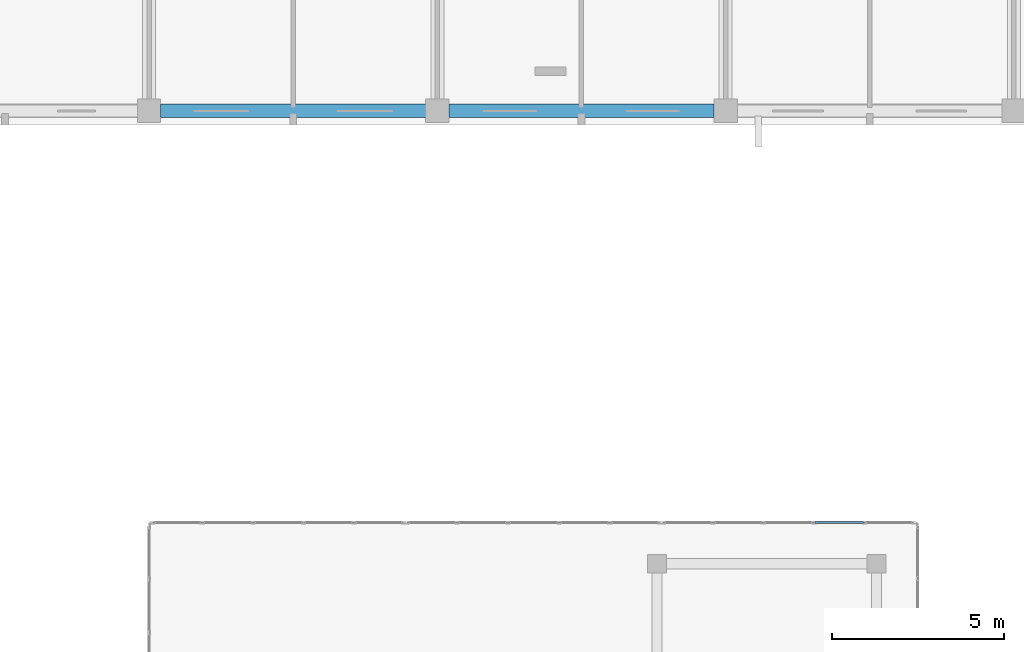
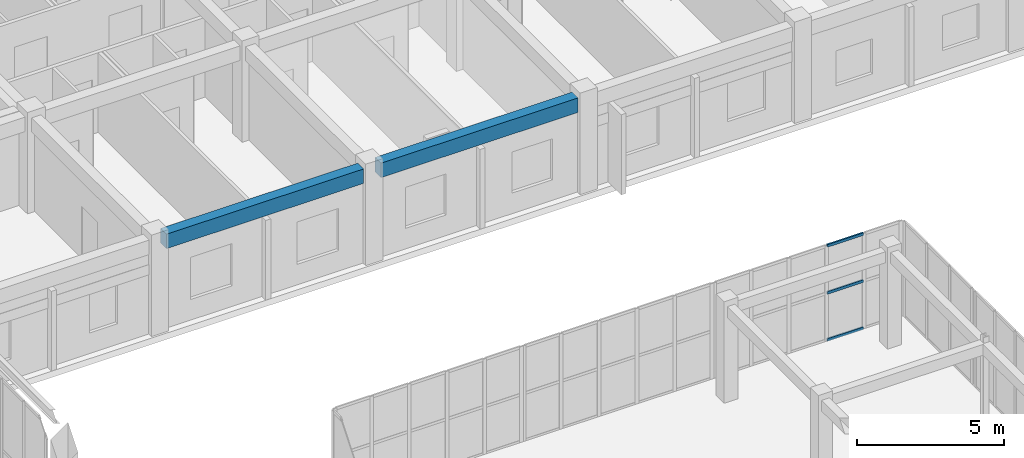
# One storey, part 78 of 140: 3 members, 2 beams, 1 element without a shape of its own.
"""IFC4 building model written with IfcOpenShell, lengths in metres."""

from ifc_helpers import new_model, si_unit, direction, frame, origin, origin_2d, place, context, subcontext, project, spatial, rectangle, hollow_rectangle, extrude, material, layer, layer_set, material_profile, profile_set, type_object, element, aggregate, save


model = new_model("IFC4")

# Units and contexts
model_context = context("Model", 3, precision=1e-05, world=origin(), true_north=direction((0.0, 1.0)))
body_context = subcontext(model_context, "Body", "Model", "MODEL_VIEW")
ifc_project = project(units=[si_unit("LENGTHUNIT", "METRE"), si_unit("AREAUNIT", "SQUARE_METRE"), si_unit("VOLUMEUNIT", "CUBIC_METRE"), si_unit("PLANEANGLEUNIT", "RADIAN"), si_unit("MASSUNIT", "GRAM", prefix="KILO")], contexts=[model_context])

# Site, building, storey
site_placement = place(None, origin())
site = spatial("IfcSite", under=ifc_project, at=site_placement, CompositionType="ELEMENT")
building_placement = place(site_placement, origin())
building = spatial("IfcBuilding", under=site, at=building_placement, Name="Trelvath General Hospital", CompositionType="ELEMENT")
storey_placement = place(building_placement, frame((0.0, 0.0, 16.199951171875)))
storey = spatial("IfcBuildingStorey", under=building, at=storey_placement, Name="L04", CompositionType="ELEMENT", Elevation=16.199951171875)

# Beams
ifc_material_1 = material(Name="Concrete C35/45", Category="concrete")
ifc_material_profile_1 = material_profile(ifc_material_1, rectangle(XDim=0.39990234375, YDim=0.60009765625, at=origin_2d()), Name="RCB400x600")
ifc_profile_set_1 = profile_set([ifc_material_profile_1], Name="Concrete C35/45")
beam_type = type_object("IfcBeamType", Name="Beam RC400x600", PredefinedType="BEAM", material=ifc_profile_set_1)
for number, where, z_axis, x_axis, name in (
    (1, (92.735107421875, 92.39990234375, 3.6201171875), (1.0, 0.0, 0.0), (0.0, 1.0, 0.0), "Grid Beam BX-411L"),
    (2, (101.135009765625, 92.39990234375, 3.6201171875), (1.0, 0.0, 0.0), (0.0, 1.0, 0.0), "Grid Beam BX-412L"),
):
    element("IfcBeam", number, at=place(storey_placement, frame(where, z_axis=z_axis, x_axis=x_axis)), inside=storey, type_object=beam_type, Name=name, PredefinedType="BEAM", context=body_context, shape_type="SweptSolid", body=[
        extrude(rectangle(XDim=0.39990234375, YDim=0.60009765625, at=origin_2d()), origin(), (0.0, 0.0, 1.0), 7.72998046875),
    ])

# Curtain wall, members
ifc_material_2 = material(Name="Anodised aluminium and low-E glass", Category="aluminium")
ifc_layer = layer(ifc_material_2, 0.139892578125)
ifc_layer_set = layer_set([ifc_layer], Name="Anodised aluminium and low-E glass")
curtain_wall_type = type_object("IfcCurtainWallType", Name="CW CrystalCube 737 396 14", PredefinedType="USERDEFINED", material=ifc_layer_set)
curtain_wall_placement = place(storey_placement, origin())
curtain_wall = element("IfcCurtainWall", 3, at=curtain_wall_placement, inside=storey, type_object=curtain_wall_type, Name="Crystal Cube Curtain Wall CUBE-E-T1 N3 L04", ObjectType="Unitised Glazed Curtain Wall", PredefinedType="USERDEFINED")
ifc_material_3 = material(Name="Anodised aluminium", Category="aluminium")
ifc_material_profile_2 = material_profile(ifc_material_3, hollow_rectangle(XDim=0.06005859375, YDim=0.110107421875, WallThickness=0.00390625, at=origin_2d()), Name="RHS60x110x4")
ifc_profile_set_2 = profile_set([ifc_material_profile_2], Name="Anodised aluminium")
member_type = type_object("IfcMemberType", Name="CurtainTransom 60x110", PredefinedType="USERDEFINED", material=ifc_profile_set_2)
member_1_placement = place(storey_placement, frame((111.80322265625, 80.39990234375, 0.030029296875), z_axis=(1.0, 0.0, 0.0), x_axis=(0.0, 1.0, 0.0)))
member_1 = element("IfcMember", 4, at=member_1_placement, type_object=member_type, Name="CW-287 transom 4.1", ObjectType="TRANSOM", PredefinedType="USERDEFINED", context=body_context, shape_type="SweptSolid", body=[
    extrude(hollow_rectangle(XDim=0.06005859375, YDim=0.110107421875, WallThickness=0.00390625, at=origin_2d()), origin(), (0.0, 0.0, 1.0), 1.413330078125),
])
member_2_placement = place(storey_placement, frame((111.80322265625, 80.39990234375, 1.97998046875), z_axis=(1.0, 0.0, 0.0), x_axis=(0.0, 1.0, 0.0)))
member_2 = element("IfcMember", 5, at=member_2_placement, type_object=member_type, Name="CW-287 transom 4.2", ObjectType="TRANSOM", PredefinedType="USERDEFINED", context=body_context, shape_type="SweptSolid", body=[
    extrude(hollow_rectangle(XDim=0.06005859375, YDim=0.110107421875, WallThickness=0.00390625, at=origin_2d()), origin(), (0.0, 0.0, 1.0), 1.413330078125),
])
member_3_placement = place(storey_placement, frame((111.80322265625, 80.39990234375, 3.929931640625), z_axis=(1.0, 0.0, 0.0), x_axis=(0.0, 1.0, 0.0)))
member_3 = element("IfcMember", 6, at=member_3_placement, type_object=member_type, Name="CW-287 transom 4.3", ObjectType="TRANSOM", PredefinedType="USERDEFINED", context=body_context, shape_type="SweptSolid", body=[
    extrude(hollow_rectangle(XDim=0.06005859375, YDim=0.110107421875, WallThickness=0.00390625, at=origin_2d()), origin(), (0.0, 0.0, 1.0), 1.413330078125),
])
aggregate(curtain_wall, [member_1, member_2, member_3])

save(model, "model.ifc")
